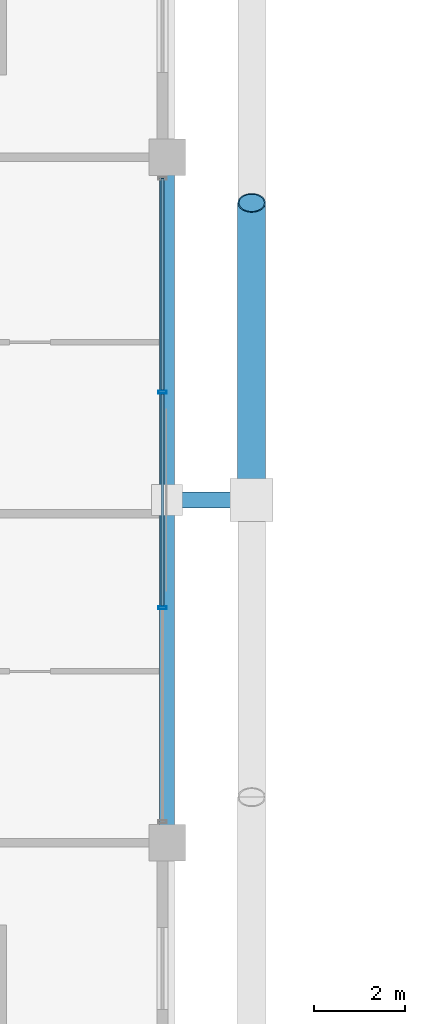
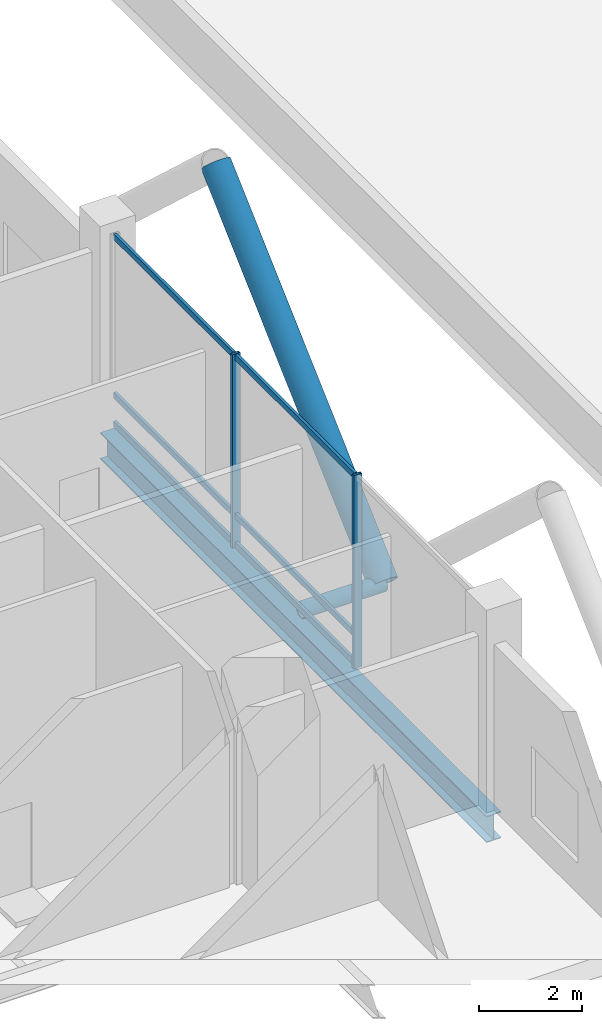
# One storey, part 12 of 33: 10 members, 1 beam, 1 element without a shape of its own.
"""IFC4 building model written with IfcOpenShell, lengths in metres."""

from ifc_helpers import new_model, si_unit, direction, frame, origin, origin_2d, place, context, subcontext, project, spatial, hollow_rectangle, hollow_circle, i_section, extrude, material, layer, layer_set, material_profile, profile_set, type_object, element, aggregate, save


model = new_model("IFC4")

# Units and contexts
model_context = context("Model", 3, precision=1e-05, world=origin(), true_north=direction((0.0, 1.0)))
body_context = subcontext(model_context, "Body", "Model", "MODEL_VIEW")
ifc_project = project(units=[si_unit("LENGTHUNIT", "METRE"), si_unit("AREAUNIT", "SQUARE_METRE"), si_unit("VOLUMEUNIT", "CUBIC_METRE"), si_unit("PLANEANGLEUNIT", "RADIAN"), si_unit("MASSUNIT", "GRAM", prefix="KILO")], contexts=[model_context])

# Site, building, storey
site_placement = place(None, origin())
site = spatial("IfcSite", under=ifc_project, at=site_placement, CompositionType="ELEMENT")
building_placement = place(site_placement, origin())
building = spatial("IfcBuilding", under=site, at=building_placement, Name="Barlavira Tower and Art Museum", CompositionType="ELEMENT")
storey_placement = place(building_placement, frame((0.0, 0.0, 27.60009765625)))
storey = spatial("IfcBuildingStorey", under=building, at=storey_placement, Name="L05", CompositionType="ELEMENT", Elevation=27.60009765625)

# Curtain wall, members
ifc_material_1 = material(Name="Low-iron coastal laminated glass", Category="glass")
ifc_layer = layer(ifc_material_1, 0.179931640625, Name="Low-iron coastal laminated glass")
ifc_layer_set = layer_set([ifc_layer], Name="Low-iron coastal laminated glass")
curtain_wall_type = type_object("IfcCurtainWallType", Name="Pale-Metal Unitised Curtain Wall Zone 1", PredefinedType="NOTDEFINED", material=ifc_layer_set)
curtain_wall_placement = place(storey_placement, origin())
curtain_wall = element("IfcCurtainWall", 1, at=curtain_wall_placement, inside=storey, type_object=curtain_wall_type, Name="L05 Curtain Wall CW1-L05-E-B3", PredefinedType="NOTDEFINED")
ifc_material_2 = material(Name="Pale anodised aluminium", Category="aluminium")
ifc_material_profile_1 = material_profile(ifc_material_2, hollow_rectangle(XDim=0.06494140625, YDim=0.179931640625, WallThickness=0.00390625, at=origin_2d()), Name="ALU-MULL 65x180x4")
ifc_profile_set_1 = profile_set([ifc_material_profile_1], Name="Pale anodised aluminium")
member_type_1 = type_object("IfcMemberType", Name="Curtain Wall Pale-Metal Mullion 65x180", PredefinedType="MULLION", material=ifc_profile_set_1)
member_1_placement = place(storey_placement, frame((21.89990234375, -2.360107421875, 0.0), z_axis=(0.0, 0.0, 1.0), x_axis=(0.0, 1.0, 0.0)))
member_1 = element("IfcMember", 2, at=member_1_placement, type_object=member_type_1, Name="CW1-L05-E-B3 Mullion 1", PredefinedType="MULLION", context=body_context, shape_type="SweptSolid", body=[
    extrude(hollow_rectangle(XDim=0.06494140625, YDim=0.179931640625, WallThickness=0.00390625, at=origin_2d()), origin(), (0.0, 0.0, 1.0), 4.579833984375),
])
member_2_placement = place(storey_placement, frame((21.89990234375, 2.360107421875, 0.0), z_axis=(0.0, 0.0, 1.0), x_axis=(0.0, 1.0, 0.0)))
member_2 = element("IfcMember", 3, at=member_2_placement, type_object=member_type_1, Name="CW1-L05-E-B3 Mullion 2", PredefinedType="MULLION", context=body_context, shape_type="SweptSolid", body=[
    extrude(hollow_rectangle(XDim=0.06494140625, YDim=0.179931640625, WallThickness=0.00390625, at=origin_2d()), origin(), (0.0, 0.0, 1.0), 4.579833984375),
])
ifc_material_profile_2 = material_profile(ifc_material_2, hollow_rectangle(XDim=0.06494140625, YDim=0.139892578125, WallThickness=0.00390625, at=origin_2d()), Name="ALU-TRAN 65x140x4")
ifc_profile_set_2 = profile_set([ifc_material_profile_2], Name="Pale anodised aluminium")
member_type_2 = type_object("IfcMemberType", Name="Curtain Wall Pale-Metal Transom 65x140", PredefinedType="USERDEFINED", material=ifc_profile_set_2)
member_3_placement = place(storey_placement, frame((21.89990234375, -2.31494140625, 0.06982421875), z_axis=(0.0, 1.0, 0.0), x_axis=(-1.0, 0.0, 0.0)))
member_3 = element("IfcMember", 4, at=member_3_placement, type_object=member_type_2, Name="CW1-L05-E-B3 Transom 1.1", ObjectType="TRANSOM", PredefinedType="USERDEFINED", context=body_context, shape_type="SweptSolid", body=[
    extrude(hollow_rectangle(XDim=0.06494140625, YDim=0.139892578125, WallThickness=0.00390625, at=origin_2d()), origin(), (0.0, 0.0, 1.0), 4.6298828125),
])
member_4_placement = place(storey_placement, frame((21.89990234375, -2.31494140625, 0.75), z_axis=(0.0, 1.0, 0.0), x_axis=(-1.0, 0.0, 0.0)))
member_4 = element("IfcMember", 5, at=member_4_placement, type_object=member_type_2, Name="CW1-L05-E-B3 Transom 1.2", ObjectType="TRANSOM", PredefinedType="USERDEFINED", context=body_context, shape_type="SweptSolid", body=[
    extrude(hollow_rectangle(XDim=0.06494140625, YDim=0.139892578125, WallThickness=0.00390625, at=origin_2d()), origin(), (0.0, 0.0, 1.0), 4.6298828125),
])
member_5_placement = place(storey_placement, frame((21.89990234375, -2.31494140625, 4.510009765625), z_axis=(0.0, 1.0, 0.0), x_axis=(-1.0, 0.0, 0.0)))
member_5 = element("IfcMember", 6, at=member_5_placement, type_object=member_type_2, Name="CW1-L05-E-B3 Transom 1.3", ObjectType="TRANSOM", PredefinedType="USERDEFINED", context=body_context, shape_type="SweptSolid", body=[
    extrude(hollow_rectangle(XDim=0.06494140625, YDim=0.139892578125, WallThickness=0.00390625, at=origin_2d()), origin(), (0.0, 0.0, 1.0), 4.6298828125),
])
member_6_placement = place(storey_placement, frame((21.89990234375, 2.405029296875, 0.06982421875), z_axis=(0.0, 1.0, 0.0), x_axis=(-1.0, 0.0, 0.0)))
member_6 = element("IfcMember", 7, at=member_6_placement, type_object=member_type_2, Name="CW1-L05-E-B3 Transom 2.1", ObjectType="TRANSOM", PredefinedType="USERDEFINED", context=body_context, shape_type="SweptSolid", body=[
    extrude(hollow_rectangle(XDim=0.06494140625, YDim=0.139892578125, WallThickness=0.00390625, at=origin_2d()), origin(), (0.0, 0.0, 1.0), 4.6298828125),
])
member_7_placement = place(storey_placement, frame((21.89990234375, 2.405029296875, 0.75), z_axis=(0.0, 1.0, 0.0), x_axis=(-1.0, 0.0, 0.0)))
member_7 = element("IfcMember", 8, at=member_7_placement, type_object=member_type_2, Name="CW1-L05-E-B3 Transom 2.2", ObjectType="TRANSOM", PredefinedType="USERDEFINED", context=body_context, shape_type="SweptSolid", body=[
    extrude(hollow_rectangle(XDim=0.06494140625, YDim=0.139892578125, WallThickness=0.00390625, at=origin_2d()), origin(), (0.0, 0.0, 1.0), 4.6298828125),
])
member_8_placement = place(storey_placement, frame((21.89990234375, 2.405029296875, 4.510009765625), z_axis=(0.0, 1.0, 0.0), x_axis=(-1.0, 0.0, 0.0)))
member_8 = element("IfcMember", 9, at=member_8_placement, type_object=member_type_2, Name="CW1-L05-E-B3 Transom 2.3", ObjectType="TRANSOM", PredefinedType="USERDEFINED", context=body_context, shape_type="SweptSolid", body=[
    extrude(hollow_rectangle(XDim=0.06494140625, YDim=0.139892578125, WallThickness=0.00390625, at=origin_2d()), origin(), (0.0, 0.0, 1.0), 4.6298828125),
])
aggregate(curtain_wall, [member_1, member_2, member_3, member_4, member_5, member_6, member_7, member_8])

# Members
ifc_material_3 = material(Name="Steel S355", Category="steel")
ifc_material_profile_3 = material_profile(ifc_material_3, hollow_circle(Radius=0.304931640625, WallThickness=0.028076171875, at=origin_2d()), Name="CHS 610.0x28.0")
ifc_profile_set_3 = profile_set([ifc_material_profile_3], Name="Steel S355")
member_type_3 = type_object("IfcMemberType", Name="Pale-Metal Exoskeleton Diagrid Tube CHS 610x28 Steel S355", PredefinedType="BRACE", material=ifc_profile_set_3)
member_9_placement = place(storey_placement, frame((23.85009765625, 0.0, -0.1201171875), z_axis=(0.0, 0.734803444627, 0.678280102733), x_axis=(-1.0, 0.0, 0.0)))
element("IfcMember", 10, at=member_9_placement, inside=storey, type_object=member_type_3, Name="L05 Exoskeleton Diagrid Tube E", PredefinedType="BRACE", context=body_context, shape_type="SweptSolid", body=[
    extrude(hollow_circle(Radius=0.304931640625, WallThickness=0.028076171875, at=origin_2d()), origin(), (0.0, 0.0, 1.0), 8.845947265625),
])
ifc_material_profile_4 = material_profile(ifc_material_3, hollow_circle(Radius=0.177734375, WallThickness=0.01611328125, at=origin_2d()), Name="CHS 355.6x16.0")
ifc_profile_set_4 = profile_set([ifc_material_profile_4], Name="Steel S355")
member_type_4 = type_object("IfcMemberType", Name="Pale-Metal Exoskeleton Tie Strut CHS 356x16 Steel S355", PredefinedType="STRUT", material=ifc_profile_set_4)
member_10_placement = place(storey_placement, frame((23.85009765625, 0.0, -0.1201171875), z_axis=(-1.0, 0.0, 0.0), x_axis=(0.0, -1.0, 0.0)))
element("IfcMember", 11, at=member_10_placement, inside=storey, type_object=member_type_4, Name="L05 Exoskeleton Tie Strut E2", PredefinedType="STRUT", context=body_context, shape_type="SweptSolid", body=[
    extrude(hollow_circle(Radius=0.177734375, WallThickness=0.01611328125, at=origin_2d()), origin(), (0.0, 0.0, 1.0), 1.85009765625),
])

# Beam
ifc_material_profile_5 = material_profile(ifc_material_3, i_section(OverallWidth=0.327880859375, OverallDepth=0.62890625, WebThickness=0.013916015625, FlangeThickness=0.021484375, at=origin_2d()), Name="W610x174.0")
ifc_profile_set_5 = profile_set([ifc_material_profile_5], Name="Steel S355")
beam_type = type_object("IfcBeamType", Name="Perimeter Spandrel Edge Beam W610x174 Steel S355", PredefinedType="SPANDREL", material=ifc_profile_set_5)
beam_placement = place(storey_placement, frame((22.0, -7.5, -0.714599609375), z_axis=(0.0, 1.0, 0.0), x_axis=(-1.0, 0.0, 0.0)))
element("IfcBeam", 12, at=beam_placement, inside=storey, type_object=beam_type, Name="L05 Spandrel 6", PredefinedType="SPANDREL", context=body_context, shape_type="SweptSolid", body=[
    extrude(i_section(OverallWidth=0.327880859375, OverallDepth=0.62890625, WebThickness=0.013916015625, FlangeThickness=0.021484375, at=origin_2d()), origin(), (0.0, 0.0, 1.0), 15.0),
])

save(model, "model.ifc")
